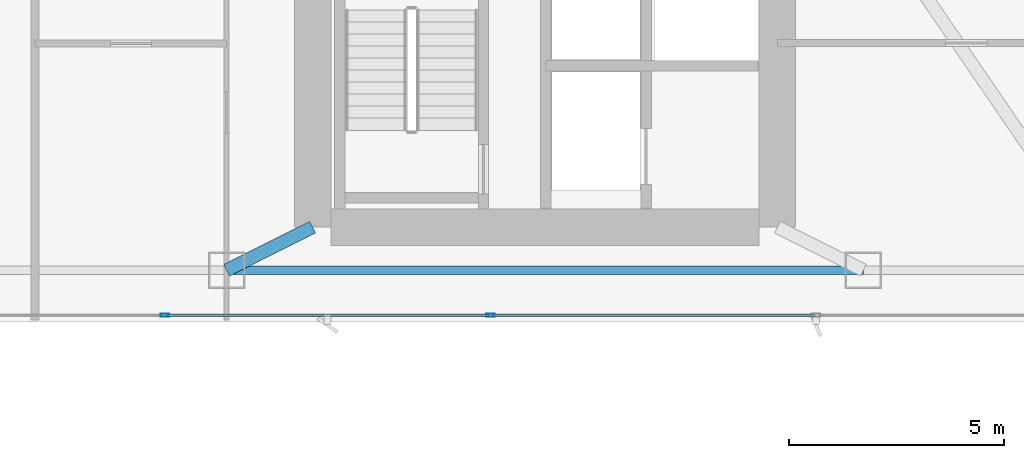
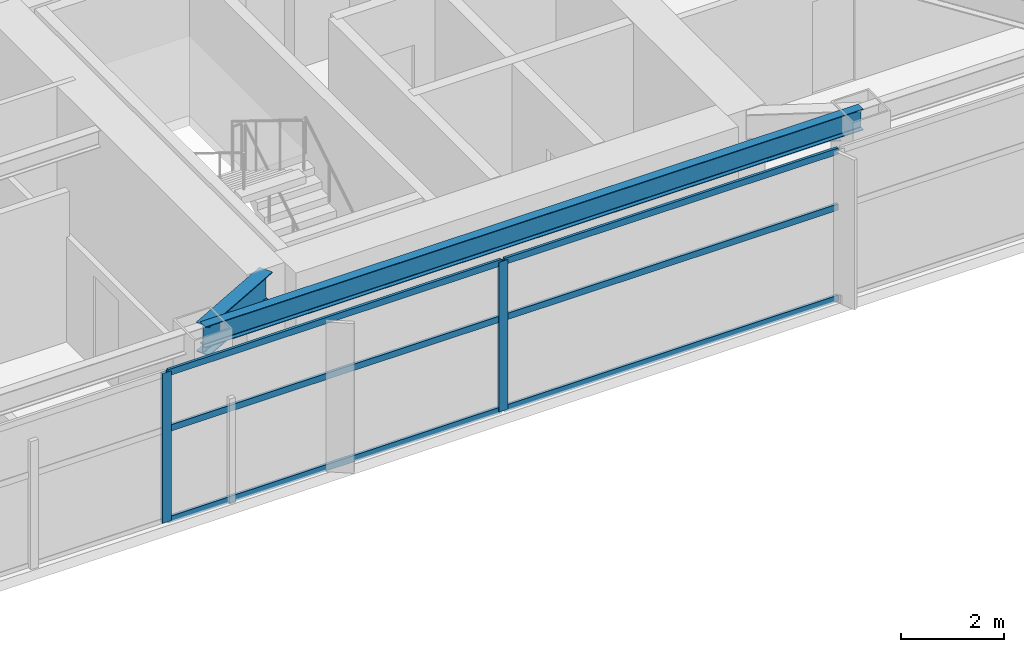
# One storey, part 6 of 28: 8 members, 2 beams, 1 element without a shape of its own.
"""IFC4 building model written with IfcOpenShell, lengths in metres."""

from ifc_helpers import new_model, si_unit, direction, frame, origin, origin_2d, place, context, subcontext, project, spatial, hollow_rectangle, i_section, extrude, material, layer, layer_set, material_profile, profile_set, type_object, element, aggregate, save


model = new_model("IFC4")

# Units and contexts
model_context = context("Model", 3, precision=1e-05, world=origin(), true_north=direction((0.0, 1.0)))
body_context = subcontext(model_context, "Body", "Model", "MODEL_VIEW")
ifc_project = project(units=[si_unit("LENGTHUNIT", "METRE"), si_unit("AREAUNIT", "SQUARE_METRE"), si_unit("VOLUMEUNIT", "CUBIC_METRE"), si_unit("PLANEANGLEUNIT", "RADIAN"), si_unit("MASSUNIT", "GRAM", prefix="KILO")], contexts=[model_context])

# Site, building, storey
site_placement = place(None, origin())
site = spatial("IfcSite", under=ifc_project, at=site_placement, CompositionType="ELEMENT")
building_placement = place(site_placement, origin())
building = spatial("IfcBuilding", under=site, at=building_placement, Name="Calvorn Quay Hotel", CompositionType="ELEMENT")
storey_placement = place(building_placement, frame((0.0, 0.0, 101.199951171875)))
storey = spatial("IfcBuildingStorey", under=building, at=storey_placement, Name="L24", CompositionType="ELEMENT", Elevation=101.199951171875)

# Beams
ifc_material_1 = material(Name="Steel Q390GJC", Category="steel")
ifc_material_profile_1 = material_profile(ifc_material_1, i_section(OverallWidth=0.300048828125, OverallDepth=0.699951171875, WebThickness=0.012939453125, FlangeThickness=0.02392578125, FilletRadius=0.02392578125, at=origin_2d()), Name="HN700x300x13x24")
ifc_profile_set_1 = profile_set([ifc_material_profile_1], Name="Steel Q390GJC")
beam_type_1 = type_object("IfcBeamType", Name="BM-GIRD-MAIN", PredefinedType="BEAM", material=ifc_profile_set_1)
beam_1_placement = place(storey_placement, frame((19.60009765625, 3.60009765625, 3.18994140625), z_axis=(0.894427191, 0.4472135955, 0.0), x_axis=(-0.4472135955, 0.894427191, 0.0)))
element("IfcBeam", 1, at=beam_1_placement, inside=storey, type_object=beam_type_1, Name="Beam BG-L24-S2", PredefinedType="BEAM", context=body_context, shape_type="SweptSolid", body=[
    extrude(i_section(OverallWidth=0.300048828125, OverallDepth=0.699951171875, WebThickness=0.012939453125, FlangeThickness=0.02392578125, FilletRadius=0.02392578125, at=origin_2d()), origin(), (0.0, 0.0, 1.0), 2.236083984375),
])
ifc_material_2 = material(Name="Steel Q355B", Category="steel")
ifc_material_profile_2 = material_profile(ifc_material_2, i_section(OverallWidth=0.199951171875, OverallDepth=0.5, WebThickness=0.010009765625, FlangeThickness=0.01611328125, FilletRadius=0.01611328125, at=origin_2d()), Name="HN500x200x10x16")
ifc_profile_set_2 = profile_set([ifc_material_profile_2], Name="Steel Q355B")
beam_type_2 = type_object("IfcBeamType", Name="BM-SPANDREL-Z1", PredefinedType="SPANDREL", material=ifc_profile_set_2)
beam_2_placement = place(storey_placement, frame((19.60009765625, 3.60009765625, 3.2900390625), z_axis=(1.0, 0.0, 0.0), x_axis=(0.0, 1.0, 0.0)))
element("IfcBeam", 2, at=beam_2_placement, inside=storey, type_object=beam_type_2, Name="Beam BSP-L24-S3", PredefinedType="SPANDREL", context=body_context, shape_type="SweptSolid", body=[
    extrude(i_section(OverallWidth=0.199951171875, OverallDepth=0.5, WebThickness=0.010009765625, FlangeThickness=0.01611328125, FilletRadius=0.01611328125, at=origin_2d()), origin(), (0.0, 0.0, 1.0), 14.7998046875),
])

# Curtain wall, members
ifc_material_3 = material(Name="Pale Anodised Aluminium and Low-E Glass", Category="aluminium")
ifc_layer = layer(ifc_material_3, 0.219970703125)
ifc_layer_set = layer_set([ifc_layer], Name="CW-SYS-Z2")
curtain_wall_type = type_object("IfcCurtainWallType", Name="CW-SYS-Z2", PredefinedType="NOTDEFINED", material=ifc_layer_set)
curtain_wall_placement = place(storey_placement, origin())
curtain_wall = element("IfcCurtainWall", 3, at=curtain_wall_placement, inside=storey, type_object=curtain_wall_type, Name="Tower South Waterfront Curtain Wall (L24)", PredefinedType="NOTDEFINED")
ifc_material_4 = material(Name="Pale Anodised Aluminium 6063-T6", Category="aluminium")
ifc_material_profile_3 = material_profile(ifc_material_4, hollow_rectangle(XDim=0.070068359375, YDim=0.199951171875, WallThickness=0.00390625, at=origin_2d()), Name="ALU-M200x70x4")
ifc_profile_set_3 = profile_set([ifc_material_profile_3], Name="Pale Anodised Aluminium 6063-T6")
member_type_1 = type_object("IfcMemberType", Name="CW-SYS-Z2-MUL", PredefinedType="MULLION", material=ifc_profile_set_3)
member_1_placement = place(storey_placement, frame((18.166748046875, 2.550048828125, 0.0), z_axis=(0.0, 0.0, 1.0), x_axis=(0.0, 1.0, 0.0)))
member_1 = element("IfcMember", 4, at=member_1_placement, type_object=member_type_1, Name="CW-L24-S mullion 2", PredefinedType="MULLION", context=body_context, shape_type="SweptSolid", body=[
    extrude(hollow_rectangle(XDim=0.070068359375, YDim=0.199951171875, WallThickness=0.00390625, at=origin_2d()), origin(), (0.0, 0.0, 1.0), 3.56005859375),
])
member_2_placement = place(storey_placement, frame((25.7333984375, 2.550048828125, 0.0), z_axis=(0.0, 0.0, 1.0), x_axis=(0.0, 1.0, 0.0)))
member_2 = element("IfcMember", 5, at=member_2_placement, type_object=member_type_1, Name="CW-L24-S mullion 3", PredefinedType="MULLION", context=body_context, shape_type="SweptSolid", body=[
    extrude(hollow_rectangle(XDim=0.070068359375, YDim=0.199951171875, WallThickness=0.00390625, at=origin_2d()), origin(), (0.0, 0.0, 1.0), 3.56005859375),
])
ifc_material_5 = material(Name="Pale Anodised Aluminium 6063-T6", Category="aluminium")
ifc_material_profile_4 = material_profile(ifc_material_5, hollow_rectangle(XDim=0.06005859375, YDim=0.14990234375, WallThickness=0.00341796875, at=origin_2d()), Name="ALU-T150x60x3.5")
ifc_profile_set_4 = profile_set([ifc_material_profile_4], Name="Pale Anodised Aluminium 6063-T6")
member_type_2 = type_object("IfcMemberType", Name="CW-SYS-Z2-TRN", PredefinedType="USERDEFINED", material=ifc_profile_set_4)
member_3_placement = place(storey_placement, frame((18.19677734375, 2.550048828125, 0.030029296875), z_axis=(1.0, 0.0, 0.0), x_axis=(0.0, 1.0, 0.0)))
member_3 = element("IfcMember", 6, at=member_3_placement, type_object=member_type_2, Name="CW-L24-S transom 2.1", ObjectType="TRANSOM", PredefinedType="USERDEFINED", context=body_context, shape_type="SweptSolid", body=[
    extrude(hollow_rectangle(XDim=0.06005859375, YDim=0.14990234375, WallThickness=0.00341796875, at=origin_2d()), origin(), (0.0, 0.0, 1.0), 7.506591796875),
])
member_4_placement = place(storey_placement, frame((18.19677734375, 2.550048828125, 2.199951171875), z_axis=(1.0, 0.0, 0.0), x_axis=(0.0, 1.0, 0.0)))
member_4 = element("IfcMember", 7, at=member_4_placement, type_object=member_type_2, Name="CW-L24-S transom 2.2", ObjectType="TRANSOM", PredefinedType="USERDEFINED", context=body_context, shape_type="SweptSolid", body=[
    extrude(hollow_rectangle(XDim=0.06005859375, YDim=0.14990234375, WallThickness=0.00341796875, at=origin_2d()), origin(), (0.0, 0.0, 1.0), 7.506591796875),
])
member_5_placement = place(storey_placement, frame((18.19677734375, 2.550048828125, 3.530029296875), z_axis=(1.0, 0.0, 0.0), x_axis=(0.0, 1.0, 0.0)))
member_5 = element("IfcMember", 8, at=member_5_placement, type_object=member_type_2, Name="CW-L24-S transom 2.3", ObjectType="TRANSOM", PredefinedType="USERDEFINED", context=body_context, shape_type="SweptSolid", body=[
    extrude(hollow_rectangle(XDim=0.06005859375, YDim=0.14990234375, WallThickness=0.00341796875, at=origin_2d()), origin(), (0.0, 0.0, 1.0), 7.506591796875),
])
member_6_placement = place(storey_placement, frame((25.763427734375, 2.550048828125, 0.030029296875), z_axis=(1.0, 0.0, 0.0), x_axis=(0.0, 1.0, 0.0)))
member_6 = element("IfcMember", 9, at=member_6_placement, type_object=member_type_2, Name="CW-L24-S transom 3.1", ObjectType="TRANSOM", PredefinedType="USERDEFINED", context=body_context, shape_type="SweptSolid", body=[
    extrude(hollow_rectangle(XDim=0.06005859375, YDim=0.14990234375, WallThickness=0.00341796875, at=origin_2d()), origin(), (0.0, 0.0, 1.0), 7.506591796875),
])
member_7_placement = place(storey_placement, frame((25.763427734375, 2.550048828125, 2.199951171875), z_axis=(1.0, 0.0, 0.0), x_axis=(0.0, 1.0, 0.0)))
member_7 = element("IfcMember", 10, at=member_7_placement, type_object=member_type_2, Name="CW-L24-S transom 3.2", ObjectType="TRANSOM", PredefinedType="USERDEFINED", context=body_context, shape_type="SweptSolid", body=[
    extrude(hollow_rectangle(XDim=0.06005859375, YDim=0.14990234375, WallThickness=0.00341796875, at=origin_2d()), origin(), (0.0, 0.0, 1.0), 7.506591796875),
])
member_8_placement = place(storey_placement, frame((25.763427734375, 2.550048828125, 3.530029296875), z_axis=(1.0, 0.0, 0.0), x_axis=(0.0, 1.0, 0.0)))
member_8 = element("IfcMember", 11, at=member_8_placement, type_object=member_type_2, Name="CW-L24-S transom 3.3", ObjectType="TRANSOM", PredefinedType="USERDEFINED", context=body_context, shape_type="SweptSolid", body=[
    extrude(hollow_rectangle(XDim=0.06005859375, YDim=0.14990234375, WallThickness=0.00341796875, at=origin_2d()), origin(), (0.0, 0.0, 1.0), 7.506591796875),
])
aggregate(curtain_wall, [member_1, member_2, member_3, member_4, member_5, member_6, member_7, member_8])

save(model, "model.ifc")
